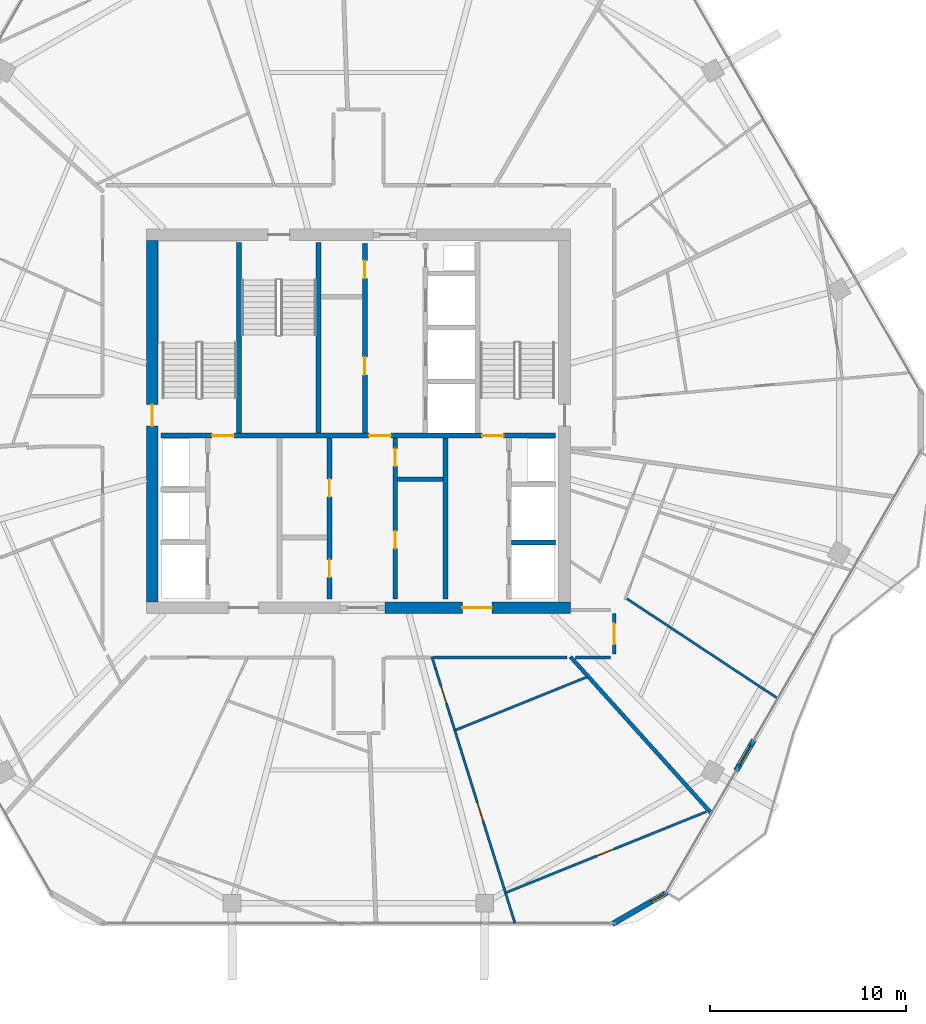
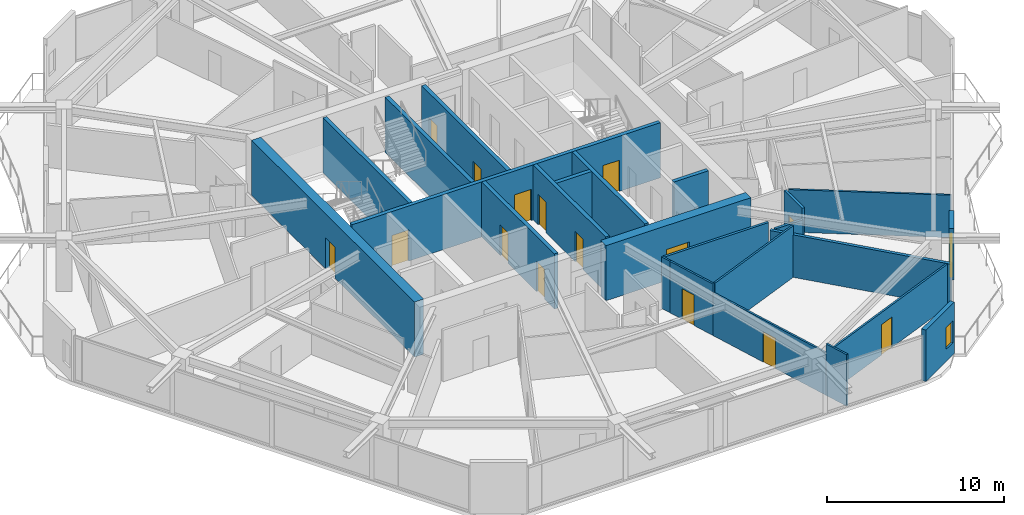
# One storey, part 19 of 25: 24 walls, 16 doors, 1 window, 17 openings.
"""IFC4 building model written with IfcOpenShell, lengths in metres."""

from ifc_helpers import new_model, si_unit, direction, frame, frame_2d, origin, place, context, subcontext, project, spatial, rectangle, extrude, material, layer, layer_set, type_object, element, fill, save


model = new_model("IFC4")

# Units and contexts
model_context = context("Model", 3, precision=1e-05, world=origin(), true_north=direction((0.0, 1.0)))
body_context = subcontext(model_context, "Body", "Model", "MODEL_VIEW")
ifc_project = project(units=[si_unit("LENGTHUNIT", "METRE"), si_unit("AREAUNIT", "SQUARE_METRE"), si_unit("VOLUMEUNIT", "CUBIC_METRE"), si_unit("PLANEANGLEUNIT", "RADIAN"), si_unit("MASSUNIT", "GRAM", prefix="KILO")], contexts=[model_context])

# Site, building, storey
site_placement = place(None, origin())
site = spatial("IfcSite", under=ifc_project, at=site_placement, CompositionType="ELEMENT")
building_placement = place(site_placement, origin())
building = spatial("IfcBuilding", under=site, at=building_placement, Name="Zuhravey Tower", CompositionType="ELEMENT")
storey_placement = place(building_placement, frame((0.0, 0.0, 235.0)))
storey = spatial("IfcBuildingStorey", under=building, at=storey_placement, Name="L59", CompositionType="ELEMENT", Elevation=235.0)

# Wall, opening, door
ifc_material_1 = material(Name="Concrete C50/60", Category="concrete")
ifc_layer_1 = layer(ifc_material_1, 0.60009765625)
ifc_layer_set_1 = layer_set([ifc_layer_1], Name="Concrete C50/60")
wall_type_1 = type_object("IfcWallType", Name="Core Shear Wall 600", PredefinedType="SHEAR", material=ifc_layer_set_1)
wall_1_placement = place(storey_placement, frame((37.35009765625, 22.5, 0.0), z_axis=(0.0, 0.0, 1.0), x_axis=(1.0, 0.0, 0.0)))
wall_1 = element("IfcWall", 1, at=wall_1_placement, inside=storey, type_object=wall_type_1, Name="L59 South-East Core Shear Wall CW60", PredefinedType="SHEAR", context=body_context, shape_type="SweptSolid", body=[
    extrude(rectangle(XDim=9.449951171875, YDim=0.60009765625, at=frame_2d((4.72509765625, 0.0))), origin(), (0.0, 0.0, 1.0), 3.800048828125),
])
opening_1_placement = place(wall_1_placement, frame((3.949951171875, 0.0, 0.0)))
opening_1 = element("IfcOpeningElement", 2, at=opening_1_placement, cuts=wall_1, Name="Opening FFD1", PredefinedType="OPENING", context=body_context, shape_type="SweptSolid", body=[
    extrude(rectangle(XDim=1.5, YDim=2.14990234375, at=frame_2d((0.75, 1.074951171875))), frame((0.0, 0.31201171875, 0.0), z_axis=(0.0, -1.0, 0.0), x_axis=(1.0, 0.0, 0.0)), (0.0, 0.0, 1.0), 0.6240234375),
])
ifc_material_2 = material(Name="Galvanised fire-rated steel leaf", Category="steel")
door_type_1 = type_object("IfcDoorType", Name="Firefighting Lobby Double Door 1500x2150", OperationType="DOUBLE_DOOR_SINGLE_SWING", PredefinedType="DOOR", material=ifc_material_2)
door_1_placement = place(opening_1_placement, origin())
door_1 = element("IfcDoor", 3, at=door_1_placement, inside=storey, type_object=door_type_1, Name="L59 Firefighting Lobby East Door", OperationType="DOUBLE_DOOR_SINGLE_SWING", OverallHeight=2.14990234375, OverallWidth=1.5, PredefinedType="DOOR", context=body_context, shape_type="SweptSolid", body=[
    extrude(rectangle(XDim=1.5, YDim=2.14990234375, at=frame_2d((0.75, 1.074951171875))), frame((0.0, 0.02490234375, 0.0), z_axis=(0.0, -1.0, 0.0), x_axis=(1.0, 0.0, 0.0)), (0.0, 0.0, 1.0), 0.050048828125),
])
fill(opening_1, door_1)

wall_2_placement = place(storey_placement, frame((25.5, 22.800048828125, 0.0), z_axis=(0.0, 0.0, 1.0), x_axis=(0.0, 1.0, 0.0)))
wall_2 = element("IfcWall", 4, at=wall_2_placement, inside=storey, type_object=wall_type_1, Name="L59 West Core Shear Wall CW60", PredefinedType="SHEAR", context=body_context, shape_type="SweptSolid", body=[
    extrude(rectangle(XDim=18.39990234375, YDim=0.60009765625, at=frame_2d((9.199951171875, 0.0))), origin(), (0.0, 0.0, 1.0), 3.800048828125),
])
opening_2_placement = place(wall_2_placement, frame((8.949951171875, 0.0, 0.0)))
opening_2 = element("IfcOpeningElement", 5, at=opening_2_placement, cuts=wall_2, Name="Opening STD1", PredefinedType="OPENING", context=body_context, shape_type="SweptSolid", body=[
    extrude(rectangle(XDim=1.10009765625, YDim=2.14990234375, at=frame_2d((0.550048828125, 1.074951171875))), frame((0.0, 0.31201171875, 0.0), z_axis=(0.0, -1.0, 0.0), x_axis=(1.0, 0.0, 0.0)), (0.0, 0.0, 1.0), 0.6240234375),
])
door_type_2 = type_object("IfcDoorType", Name="Protected Stair Fire Door 1100x2150", OperationType="NOTDEFINED", PredefinedType="USERDEFINED", material=ifc_material_2)
door_2_placement = place(opening_2_placement, frame((1.10009765625, 0.0, 0.0), z_axis=(0.0, 0.0, 1.0), x_axis=(-1.0, 0.0, 0.0)))
door_2 = element("IfcDoor", 6, at=door_2_placement, inside=storey, type_object=door_type_2, Name="L59 Stair ST1 Door", ObjectType="EXITDOOR", OperationType="SINGLE_SWING_RIGHT", OverallHeight=2.14990234375, OverallWidth=1.10009765625, PredefinedType="USERDEFINED", context=body_context, shape_type="SweptSolid", body=[
    extrude(rectangle(XDim=1.10009765625, YDim=2.14990234375, at=frame_2d((0.550048828125, 1.074951171875))), frame((0.0, 0.02490234375, 0.0), z_axis=(0.0, -1.0, 0.0), x_axis=(1.0, 0.0, 0.0)), (0.0, 0.0, 1.0), 0.050048828125),
])
fill(opening_2, door_2)

ifc_material_3 = material(Name="Gypsum fire-rated stud partition")
ifc_layer_2 = layer(ifc_material_3, 0.159912109375)
ifc_layer_set_2 = layer_set([ifc_layer_2], Name="Gypsum fire-rated stud partition")
wall_type_2 = type_object("IfcWallType", Name="Corridor Fire Partition 160", PredefinedType="PARTITIONING", material=ifc_layer_set_2)
wall_3_placement = place(storey_placement, frame((49.030029296875, 20.150634765625, 0.0), z_axis=(0.0, 0.0, 1.0), x_axis=(0.0, 1.0, 0.0)))
wall_3 = element("IfcWall", 7, at=wall_3_placement, inside=storey, type_object=wall_type_2, Name="L59 IW16 Partition 043", PredefinedType="PARTITIONING", context=body_context, shape_type="SweptSolid", body=[
    extrude(rectangle(XDim=2.048583984375, YDim=0.159912109375, at=frame_2d((1.0244140625, 0.0))), origin(), (0.0, 0.0, 1.0), 3.550048828125),
])
opening_3_placement = place(wall_3_placement, frame((0.499267578125, 0.0, 0.0)))
opening_3 = element("IfcOpeningElement", 8, at=opening_3_placement, cuts=wall_3, Name="Opening APD1", PredefinedType="OPENING", context=body_context, shape_type="SweptSolid", body=[
    extrude(rectangle(XDim=1.050048828125, YDim=2.14990234375, at=frame_2d((0.52490234375, 1.074951171875))), frame((0.0, 0.092041015625, 0.0), z_axis=(0.0, -1.0, 0.0), x_axis=(1.0, 0.0, 0.0)), (0.0, 0.0, 1.0), 0.183837890625),
])
ifc_material_4 = material(Name="Solid-core oak fire-rated leaf")
door_type_3 = type_object("IfcDoorType", Name="Apartment Entrance Fire Door 1050x2150", OperationType="NOTDEFINED", PredefinedType="DOOR", material=ifc_material_4)
door_3_placement = place(opening_3_placement, frame((1.050048828125, 0.0, 0.0), z_axis=(0.0, 0.0, 1.0), x_axis=(-1.0, 0.0, 0.0)))
door_3 = element("IfcDoor", 9, at=door_3_placement, inside=storey, type_object=door_type_3, Name="L59 Door 043.1", OperationType="SINGLE_SWING_LEFT", OverallHeight=2.14990234375, OverallWidth=1.050048828125, PredefinedType="DOOR", context=body_context, shape_type="SweptSolid", body=[
    extrude(rectangle(XDim=1.050048828125, YDim=2.14990234375, at=frame_2d((0.52490234375, 1.074951171875))), frame((0.0, 0.02490234375, 0.0), z_axis=(0.0, -1.0, 0.0), x_axis=(1.0, 0.0, 0.0)), (0.0, 0.0, 1.0), 0.050048828125),
])
fill(opening_3, door_3)

# Walls
wall_4_placement = place(storey_placement, frame((39.82275390625, 19.969970703125, 0.0), z_axis=(0.0, 0.0, 1.0), x_axis=(1.0, 0.0, 0.0)))
element("IfcWall", 10, at=wall_4_placement, inside=storey, type_object=wall_type_2, Name="L59 IW16 Partition 107", PredefinedType="PARTITIONING", context=body_context, shape_type="SweptSolid", body=[
    extrude(rectangle(XDim=6.793701171875, YDim=0.159912109375, at=frame_2d((3.39697265625, 0.0))), origin(), (0.0, 0.0, 1.0), 3.550048828125),
])
wall_5_placement = place(storey_placement, frame((47.050537109375, 19.969970703125, 0.0), z_axis=(0.0, 0.0, 1.0), x_axis=(1.0, 0.0, 0.0)))
element("IfcWall", 11, at=wall_5_placement, inside=storey, type_object=wall_type_2, Name="L59 IW16 Partition 109", PredefinedType="PARTITIONING", context=body_context, shape_type="SweptSolid", body=[
    extrude(rectangle(XDim=1.798828125, YDim=0.159912109375, at=frame_2d((0.8994140625, 0.0))), origin(), (0.0, 0.0, 1.0), 2.949951171875),
])

# Wall, opening, door
ifc_material_5 = material(Name="Precast concrete C40/50", Category="concrete")
ifc_layer_3 = layer(ifc_material_5, 0.280029296875)
ifc_layer_set_3 = layer_set([ifc_layer_3], Name="Precast concrete C40/50")
wall_type_3 = type_object("IfcWallType", Name="Crown Architectural Wall 280", PredefinedType="SOLIDWALL", material=ifc_layer_set_3)
wall_6_placement = place(storey_placement, frame((56.139892578125, 15.756103515625, 0.0), z_axis=(0.0, 0.0, 1.0), x_axis=(-0.499982180423, -0.866035691677, 0.0)))
wall_6 = element("IfcWall", 12, at=wall_6_placement, inside=storey, type_object=wall_type_3, Name="L59 Face 6 Facade Pier EW28-1", PredefinedType="SOLIDWALL", context=body_context, shape_type="SweptSolid", body=[
    extrude(rectangle(XDim=1.7900390625, YDim=0.280029296875, at=frame_2d((0.89501953125, 0.0))), origin(), (0.0, 0.0, 1.0), 3.550048828125),
])
opening_4_placement = place(wall_6_placement, frame((0.344970703125, 0.0, 0.0)))
opening_4 = element("IfcOpeningElement", 13, at=opening_4_placement, cuts=wall_6, Name="Opening BLD1", PredefinedType="OPENING", context=body_context, shape_type="SweptSolid", body=[
    extrude(rectangle(XDim=1.10009765625, YDim=2.199951171875, at=frame_2d((0.550048828125, 1.10009765625))), frame((0.0, 0.152099609375, 0.0), z_axis=(0.0, -1.0, 0.0), x_axis=(1.0, 0.0, 0.0)), (0.0, 0.0, 1.0), 0.303955078125),
])
ifc_material_6 = material(Name="Thermally broken aluminium and low-E glass", Category="aluminium")
door_type_4 = type_object("IfcDoorType", Name="Balcony & Sky-Tray Glazed Door 1100x2200", OperationType="NOTDEFINED", PredefinedType="DOOR", material=ifc_material_6)
door_4_placement = place(opening_4_placement, frame((1.10009765625, 0.0, 0.0), z_axis=(0.0, 0.0, 1.0), x_axis=(-1.0, 0.0, 0.0)))
door_4 = element("IfcDoor", 14, at=door_4_placement, inside=storey, type_object=door_type_4, Name="L59 Face 6 Wave Balcony Door", OperationType="SINGLE_SWING_LEFT", OverallHeight=2.199951171875, OverallWidth=1.10009765625, PredefinedType="DOOR", context=body_context, shape_type="SweptSolid", body=[
    extrude(rectangle(XDim=1.10009765625, YDim=2.199951171875, at=frame_2d((0.550048828125, 1.10009765625))), frame((0.0, 0.02490234375, 0.0), z_axis=(0.0, -1.0, 0.0), x_axis=(1.0, 0.0, 0.0)), (0.0, 0.0, 1.0), 0.050048828125),
])
fill(opening_4, door_4)

# Wall, opening, window
wall_7_placement = place(storey_placement, frame((51.714599609375, 7.996337890625, 0.0), z_axis=(0.0, 0.0, 1.0), x_axis=(-0.866028773314, -0.499994163758, 0.0)))
wall_7 = element("IfcWall", 15, at=wall_7_placement, inside=storey, type_object=wall_type_3, Name="L59 Rounded Corner Closure Wall EW28-02", PredefinedType="SOLIDWALL", context=body_context, shape_type="SweptSolid", body=[
    extrude(rectangle(XDim=3.21484375, YDim=0.280029296875, at=frame_2d((1.607421875, 0.0))), origin(), (0.0, 0.0, 1.0), 3.550048828125),
])
opening_5_placement = place(wall_7_placement, frame((0.17578125, 0.0, 0.85009765625)))
opening_5 = element("IfcOpeningElement", 16, at=opening_5_placement, cuts=wall_7, Name="Opening WN5", PredefinedType="OPENING", context=body_context, shape_type="SweptSolid", body=[
    extrude(rectangle(XDim=0.75, YDim=1.5, at=frame_2d((0.375, 0.75))), frame((0.0, 0.152099609375, 0.0), z_axis=(0.0, -1.0, 0.0), x_axis=(1.0, 0.0, 0.0)), (0.0, 0.0, 1.0), 0.303955078125),
])
ifc_material_7 = material(Name="Thermally broken aluminium and triple low-E glass", Category="aluminium")
window_type = type_object("IfcWindowType", Name="Residential Corner Casement Window 750x1500", PartitioningType="SINGLE_PANEL", PredefinedType="WINDOW", material=ifc_material_7)
window_placement = place(opening_5_placement, origin())
window = element("IfcWindow", 17, at=window_placement, inside=storey, type_object=window_type, Name="L59 Corner Casement Window WN5-02.1", OverallHeight=1.5, OverallWidth=0.75, PartitioningType="SINGLE_PANEL", PredefinedType="WINDOW", context=body_context, shape_type="SweptSolid", body=[
    extrude(rectangle(XDim=0.75, YDim=1.5, at=frame_2d((0.375, 0.75))), frame((0.0, 0.030029296875, 0.0), z_axis=(0.0, -1.0, 0.0), x_axis=(1.0, 0.0, 0.0)), (0.0, 0.0, 1.0), 0.06005859375),
])
fill(opening_5, window)

# Wall, openings, doors
ifc_layer_4 = layer(ifc_material_1, 0.25)
ifc_layer_set_4 = layer_set([ifc_layer_4], Name="Concrete C50/60")
wall_type_4 = type_object("IfcWallType", Name="Firefighting Shaft & Stair Wall 250", PredefinedType="SOLIDWALL", material=ifc_layer_set_4)
wall_8_placement = place(storey_placement, frame((25.949951171875, 31.27490234375, 0.0), z_axis=(0.0, 0.0, 1.0), x_axis=(1.0, 0.0, 0.0)))
wall_8 = element("IfcWall", 18, at=wall_8_placement, inside=storey, type_object=wall_type_4, Name="L59 FW25 Shaft Wall 003", PredefinedType="SOLIDWALL", context=body_context, shape_type="SweptSolid", body=[
    extrude(rectangle(XDim=20.10009765625, YDim=0.25, at=frame_2d((10.050048828125, 0.0))), origin(), (0.0, 0.0, 1.0), 3.800048828125),
])
opening_6_placement = place(wall_8_placement, frame((2.60009765625, 0.0, 0.0)))
opening_6 = element("IfcOpeningElement", 19, at=opening_6_placement, cuts=wall_8, Name="Opening STD1", PredefinedType="OPENING", context=body_context, shape_type="SweptSolid", body=[
    extrude(rectangle(XDim=1.10009765625, YDim=2.14990234375, at=frame_2d((0.550048828125, 1.074951171875))), frame((0.0, 0.136962890625, 0.0), z_axis=(0.0, -1.0, 0.0), x_axis=(1.0, 0.0, 0.0)), (0.0, 0.0, 1.0), 0.27392578125),
])
opening_7_placement = place(wall_8_placement, frame((10.60009765625, 0.0, 0.0)))
opening_7 = element("IfcOpeningElement", 20, at=opening_7_placement, cuts=wall_8, Name="Opening STD1", PredefinedType="OPENING", context=body_context, shape_type="SweptSolid", body=[
    extrude(rectangle(XDim=1.10009765625, YDim=2.14990234375, at=frame_2d((0.550048828125, 1.074951171875))), frame((0.0, 0.136962890625, 0.0), z_axis=(0.0, -1.0, 0.0), x_axis=(1.0, 0.0, 0.0)), (0.0, 0.0, 1.0), 0.27392578125),
])
opening_8_placement = place(wall_8_placement, frame((16.35009765625, 0.0, 0.0)))
opening_8 = element("IfcOpeningElement", 21, at=opening_8_placement, cuts=wall_8, Name="Opening STD1", PredefinedType="OPENING", context=body_context, shape_type="SweptSolid", body=[
    extrude(rectangle(XDim=1.10009765625, YDim=2.14990234375, at=frame_2d((0.550048828125, 1.074951171875))), frame((0.0, 0.136962890625, 0.0), z_axis=(0.0, -1.0, 0.0), x_axis=(1.0, 0.0, 0.0)), (0.0, 0.0, 1.0), 0.27392578125),
])
door_5_placement = place(opening_6_placement, origin())
door_5 = element("IfcDoor", 22, at=door_5_placement, inside=storey, type_object=door_type_2, Name="L59 FFL-W to ST1 Door", ObjectType="EXITDOOR", OperationType="SINGLE_SWING_LEFT", OverallHeight=2.14990234375, OverallWidth=1.10009765625, PredefinedType="USERDEFINED", context=body_context, shape_type="SweptSolid", body=[
    extrude(rectangle(XDim=1.10009765625, YDim=2.14990234375, at=frame_2d((0.550048828125, 1.074951171875))), frame((0.0, 0.02490234375, 0.0), z_axis=(0.0, -1.0, 0.0), x_axis=(1.0, 0.0, 0.0)), (0.0, 0.0, 1.0), 0.050048828125),
])
fill(opening_6, door_5)
door_6_placement = place(opening_7_placement, origin())
door_6 = element("IfcDoor", 23, at=door_6_placement, inside=storey, type_object=door_type_2, Name="L59 Core Lobby Link Door", ObjectType="EXITDOOR", OperationType="SINGLE_SWING_RIGHT", OverallHeight=2.14990234375, OverallWidth=1.10009765625, PredefinedType="USERDEFINED", context=body_context, shape_type="SweptSolid", body=[
    extrude(rectangle(XDim=1.10009765625, YDim=2.14990234375, at=frame_2d((0.550048828125, 1.074951171875))), frame((0.0, 0.02490234375, 0.0), z_axis=(0.0, -1.0, 0.0), x_axis=(1.0, 0.0, 0.0)), (0.0, 0.0, 1.0), 0.050048828125),
])
fill(opening_7, door_6)
door_7_placement = place(opening_8_placement, origin())
door_7 = element("IfcDoor", 24, at=door_7_placement, inside=storey, type_object=door_type_2, Name="L59 FFL-E to ST2 Door", ObjectType="EXITDOOR", OperationType="SINGLE_SWING_LEFT", OverallHeight=2.14990234375, OverallWidth=1.10009765625, PredefinedType="USERDEFINED", context=body_context, shape_type="SweptSolid", body=[
    extrude(rectangle(XDim=1.10009765625, YDim=2.14990234375, at=frame_2d((0.550048828125, 1.074951171875))), frame((0.0, 0.02490234375, 0.0), z_axis=(0.0, -1.0, 0.0), x_axis=(1.0, 0.0, 0.0)), (0.0, 0.0, 1.0), 0.050048828125),
])
fill(opening_8, door_7)

# Walls
for number, where, z_axis, x_axis, name in (
    (25, (29.925048828125, 31.39990234375, 0.0), (0.0, 0.0, 1.0), (0.0, 1.0, 0.0), "L59 FW25 Shaft Wall 004"),
    (26, (33.97509765625, 31.39990234375, 0.0), (0.0, 0.0, 1.0), (0.0, 1.0, 0.0), "L59 FW25 Shaft Wall 005"),
):
    element("IfcWall", number, at=place(storey_placement, frame(where, z_axis=z_axis, x_axis=x_axis)), inside=storey, type_object=wall_type_4, Name=name, PredefinedType="SOLIDWALL", context=body_context, shape_type="SweptSolid", body=[
        extrude(rectangle(XDim=9.7001953125, YDim=0.25, at=frame_2d((4.85009765625, 0.0))), origin(), (0.0, 0.0, 1.0), 3.800048828125),
    ])

# Wall, openings, doors
wall_9_placement = place(storey_placement, frame((36.324951171875, 31.39990234375, 0.0), z_axis=(0.0, 0.0, 1.0), x_axis=(0.0, 1.0, 0.0)))
wall_9 = element("IfcWall", 27, at=wall_9_placement, inside=storey, type_object=wall_type_4, Name="L59 FW25 Shaft Wall 007", PredefinedType="SOLIDWALL", context=body_context, shape_type="SweptSolid", body=[
    extrude(rectangle(XDim=9.650146484375, YDim=0.25, at=frame_2d((4.8251953125, 0.0))), origin(), (0.0, 0.0, 1.0), 3.800048828125),
])
opening_9_placement = place(wall_9_placement, frame((2.965087890625, 0.0, 0.0)))
opening_9 = element("IfcOpeningElement", 28, at=opening_9_placement, cuts=wall_9, Name="Opening RSD1", PredefinedType="OPENING", context=body_context, shape_type="SweptSolid", body=[
    extrude(rectangle(XDim=0.89990234375, YDim=2.10009765625, at=frame_2d((0.449951171875, 1.050048828125))), frame((0.0, 0.136962890625, 0.0), z_axis=(0.0, -1.0, 0.0), x_axis=(1.0, 0.0, 0.0)), (0.0, 0.0, 1.0), 0.27392578125),
])
opening_10_placement = place(wall_9_placement, frame((7.885009765625, 0.0, 0.0)))
opening_10 = element("IfcOpeningElement", 29, at=opening_10_placement, cuts=wall_9, Name="Opening RSD1", PredefinedType="OPENING", context=body_context, shape_type="SweptSolid", body=[
    extrude(rectangle(XDim=0.89990234375, YDim=2.10009765625, at=frame_2d((0.449951171875, 1.050048828125))), frame((0.0, 0.136962890625, 0.0), z_axis=(0.0, -1.0, 0.0), x_axis=(1.0, 0.0, 0.0)), (0.0, 0.0, 1.0), 0.27392578125),
])
ifc_material_8 = material(Name="Galvanised fire-rated steel access leaf", Category="steel")
door_type_5 = type_object("IfcDoorType", Name="Riser & Shaft Access Fire Door 900x2100", OperationType="NOTDEFINED", PredefinedType="DOOR", material=ifc_material_8)
door_8_placement = place(opening_9_placement, origin())
door_8 = element("IfcDoor", 30, at=door_8_placement, inside=storey, type_object=door_type_5, Name="L59 Equipment and Refuse Store Door", OperationType="SINGLE_SWING_RIGHT", OverallHeight=2.10009765625, OverallWidth=0.89990234375, PredefinedType="DOOR", context=body_context, shape_type="SweptSolid", body=[
    extrude(rectangle(XDim=0.89990234375, YDim=2.10009765625, at=frame_2d((0.449951171875, 1.050048828125))), frame((0.0, 0.02490234375, 0.0), z_axis=(0.0, -1.0, 0.0), x_axis=(1.0, 0.0, 0.0)), (0.0, 0.0, 1.0), 0.050048828125),
])
fill(opening_9, door_8)
door_9_placement = place(opening_10_placement, origin())
door_9 = element("IfcDoor", 31, at=door_9_placement, inside=storey, type_object=door_type_5, Name="L59 BMS Control Room Door", OperationType="SINGLE_SWING_LEFT", OverallHeight=2.10009765625, OverallWidth=0.89990234375, PredefinedType="DOOR", context=body_context, shape_type="SweptSolid", body=[
    extrude(rectangle(XDim=0.89990234375, YDim=2.10009765625, at=frame_2d((0.449951171875, 1.050048828125))), frame((0.0, 0.02490234375, 0.0), z_axis=(0.0, -1.0, 0.0), x_axis=(1.0, 0.0, 0.0)), (0.0, 0.0, 1.0), 0.050048828125),
])
fill(opening_10, door_9)

wall_10_placement = place(storey_placement, frame((34.52490234375, 22.949951171875, 0.0), z_axis=(0.0, 0.0, 1.0), x_axis=(0.0, 1.0, 0.0)))
wall_10 = element("IfcWall", 32, at=wall_10_placement, inside=storey, type_object=wall_type_4, Name="L59 FW25 Shaft Wall 014", PredefinedType="SOLIDWALL", context=body_context, shape_type="SweptSolid", body=[
    extrude(rectangle(XDim=8.199951171875, YDim=0.25, at=frame_2d((4.10009765625, 0.0))), origin(), (0.0, 0.0, 1.0), 3.800048828125),
])
opening_11_placement = place(wall_10_placement, frame((1.10009765625, 0.0, 0.0)))
opening_11 = element("IfcOpeningElement", 33, at=opening_11_placement, cuts=wall_10, Name="Opening RSD1", PredefinedType="OPENING", context=body_context, shape_type="SweptSolid", body=[
    extrude(rectangle(XDim=0.89990234375, YDim=2.10009765625, at=frame_2d((0.449951171875, 1.050048828125))), frame((0.0, 0.136962890625, 0.0), z_axis=(0.0, -1.0, 0.0), x_axis=(1.0, 0.0, 0.0)), (0.0, 0.0, 1.0), 0.27392578125),
])
opening_12_placement = place(wall_10_placement, frame((5.199951171875, 0.0, 0.0)))
opening_12 = element("IfcOpeningElement", 34, at=opening_12_placement, cuts=wall_10, Name="Opening RSD1", PredefinedType="OPENING", context=body_context, shape_type="SweptSolid", body=[
    extrude(rectangle(XDim=0.89990234375, YDim=2.10009765625, at=frame_2d((0.449951171875, 1.050048828125))), frame((0.0, 0.136962890625, 0.0), z_axis=(0.0, -1.0, 0.0), x_axis=(1.0, 0.0, 0.0)), (0.0, 0.0, 1.0), 0.27392578125),
])
door_10_placement = place(opening_11_placement, origin())
door_10 = element("IfcDoor", 35, at=door_10_placement, inside=storey, type_object=door_type_5, Name="L59 Metering Room Door", OperationType="SINGLE_SWING_LEFT", OverallHeight=2.10009765625, OverallWidth=0.89990234375, PredefinedType="DOOR", context=body_context, shape_type="SweptSolid", body=[
    extrude(rectangle(XDim=0.89990234375, YDim=2.10009765625, at=frame_2d((0.449951171875, 1.050048828125))), frame((0.0, 0.02490234375, 0.0), z_axis=(0.0, -1.0, 0.0), x_axis=(1.0, 0.0, 0.0)), (0.0, 0.0, 1.0), 0.050048828125),
])
fill(opening_11, door_10)
door_11_placement = place(opening_12_placement, origin())
door_11 = element("IfcDoor", 36, at=door_11_placement, inside=storey, type_object=door_type_5, Name="L59 Housekeeping Supply Door", OperationType="SINGLE_SWING_RIGHT", OverallHeight=2.10009765625, OverallWidth=0.89990234375, PredefinedType="DOOR", context=body_context, shape_type="SweptSolid", body=[
    extrude(rectangle(XDim=0.89990234375, YDim=2.10009765625, at=frame_2d((0.449951171875, 1.050048828125))), frame((0.0, 0.02490234375, 0.0), z_axis=(0.0, -1.0, 0.0), x_axis=(1.0, 0.0, 0.0)), (0.0, 0.0, 1.0), 0.050048828125),
])
fill(opening_12, door_11)

# Wall
wall_11_placement = place(storey_placement, frame((38.0, 29.050048828125, 0.0), z_axis=(0.0, 0.0, 1.0), x_axis=(1.0, 0.0, 0.0)))
element("IfcWall", 37, at=wall_11_placement, inside=storey, type_object=wall_type_4, Name="L59 FW25 Shaft Wall 015", PredefinedType="SOLIDWALL", context=body_context, shape_type="SweptSolid", body=[
    extrude(rectangle(XDim=2.300048828125, YDim=0.25, at=frame_2d((1.14990234375, 0.0))), origin(), (0.0, 0.0, 1.0), 3.800048828125),
])

# Wall, openings, doors
wall_12_placement = place(storey_placement, frame((37.875, 22.949951171875, 0.0), z_axis=(0.0, 0.0, 1.0), x_axis=(0.0, 1.0, 0.0)))
wall_12 = element("IfcWall", 38, at=wall_12_placement, inside=storey, type_object=wall_type_4, Name="L59 FW25 Shaft Wall 016", PredefinedType="SOLIDWALL", context=body_context, shape_type="SweptSolid", body=[
    extrude(rectangle(XDim=8.199951171875, YDim=0.25, at=frame_2d((4.10009765625, 0.0))), origin(), (0.0, 0.0, 1.0), 3.800048828125),
])
opening_13_placement = place(wall_12_placement, frame((2.5625, 0.0, 0.0)))
opening_13 = element("IfcOpeningElement", 39, at=opening_13_placement, cuts=wall_12, Name="Opening RSD1", PredefinedType="OPENING", context=body_context, shape_type="SweptSolid", body=[
    extrude(rectangle(XDim=0.89990234375, YDim=2.10009765625, at=frame_2d((0.449951171875, 1.050048828125))), frame((0.0, 0.136962890625, 0.0), z_axis=(0.0, -1.0, 0.0), x_axis=(1.0, 0.0, 0.0)), (0.0, 0.0, 1.0), 0.27392578125),
])
opening_14_placement = place(wall_12_placement, frame((6.762451171875, 0.0, 0.0)))
opening_14 = element("IfcOpeningElement", 40, at=opening_14_placement, cuts=wall_12, Name="Opening RSD1", PredefinedType="OPENING", context=body_context, shape_type="SweptSolid", body=[
    extrude(rectangle(XDim=0.89990234375, YDim=2.10009765625, at=frame_2d((0.449951171875, 1.050048828125))), frame((0.0, 0.136962890625, 0.0), z_axis=(0.0, -1.0, 0.0), x_axis=(1.0, 0.0, 0.0)), (0.0, 0.0, 1.0), 0.27392578125),
])
door_12_placement = place(opening_13_placement, frame((0.89990234375, 0.0, 0.0), z_axis=(0.0, 0.0, 1.0), x_axis=(-1.0, 0.0, 0.0)))
door_12 = element("IfcDoor", 41, at=door_12_placement, inside=storey, type_object=door_type_5, Name="L59 Trunk Store Door", OperationType="SINGLE_SWING_LEFT", OverallHeight=2.10009765625, OverallWidth=0.89990234375, PredefinedType="DOOR", context=body_context, shape_type="SweptSolid", body=[
    extrude(rectangle(XDim=0.89990234375, YDim=2.10009765625, at=frame_2d((0.449951171875, 1.050048828125))), frame((0.0, 0.02490234375, 0.0), z_axis=(0.0, -1.0, 0.0), x_axis=(1.0, 0.0, 0.0)), (0.0, 0.0, 1.0), 0.050048828125),
])
fill(opening_13, door_12)
door_13_placement = place(opening_14_placement, frame((0.89990234375, 0.0, 0.0), z_axis=(0.0, 0.0, 1.0), x_axis=(-1.0, 0.0, 0.0)))
door_13 = element("IfcDoor", 42, at=door_13_placement, inside=storey, type_object=door_type_5, Name="L59 Fiber Room Door", OperationType="SINGLE_SWING_RIGHT", OverallHeight=2.10009765625, OverallWidth=0.89990234375, PredefinedType="DOOR", context=body_context, shape_type="SweptSolid", body=[
    extrude(rectangle(XDim=0.89990234375, YDim=2.10009765625, at=frame_2d((0.449951171875, 1.050048828125))), frame((0.0, 0.02490234375, 0.0), z_axis=(0.0, -1.0, 0.0), x_axis=(1.0, 0.0, 0.0)), (0.0, 0.0, 1.0), 0.050048828125),
])
fill(opening_14, door_13)

# Walls
wall_13_placement = place(storey_placement, frame((40.425048828125, 22.949951171875, 0.0), z_axis=(0.0, 0.0, 1.0), x_axis=(0.0, 1.0, 0.0)))
element("IfcWall", 43, at=wall_13_placement, inside=storey, type_object=wall_type_4, Name="L59 FW25 Shaft Wall 017", PredefinedType="SOLIDWALL", context=body_context, shape_type="SweptSolid", body=[
    extrude(rectangle(XDim=8.199951171875, YDim=0.25, at=frame_2d((4.10009765625, 0.0))), origin(), (0.0, 0.0, 1.0), 3.800048828125),
])
wall_14_placement = place(storey_placement, frame((43.800048828125, 25.824951171875, 0.0), z_axis=(0.0, 0.0, 1.0), x_axis=(1.0, 0.0, 0.0)))
element("IfcWall", 44, at=wall_14_placement, inside=storey, type_object=wall_type_4, Name="L59 FW25 Shaft Wall 018", PredefinedType="SOLIDWALL", context=body_context, shape_type="SweptSolid", body=[
    extrude(rectangle(XDim=2.25, YDim=0.25, at=frame_2d((1.125, 0.0))), origin(), (0.0, 0.0, 1.0), 3.800048828125),
])
ifc_material_9 = material(Name="Gypsum double-stud party assembly")
ifc_layer_5 = layer(ifc_material_9, 0.199951171875)
ifc_layer_set_5 = layer_set([ifc_layer_5], Name="Gypsum double-stud party assembly")
wall_type_5 = type_object("IfcWallType", Name="Inter-Tenancy Party Wall 200", PredefinedType="PARTITIONING", material=ifc_layer_set_5)
wall_15_placement = place(storey_placement, frame((46.7958984375, 20.010009765625, 0.0), z_axis=(0.0, 0.0, 1.0), x_axis=(0.669124143022, -0.743150645041, 0.0)))
element("IfcWall", 45, at=wall_15_placement, inside=storey, type_object=wall_type_5, Name="L59 IW20 Partition 079", PredefinedType="PARTITIONING", context=body_context, shape_type="SweptSolid", body=[
    extrude(rectangle(XDim=10.744873046875, YDim=0.199951171875, at=frame_2d((5.37255859375, 0.0))), origin(), (0.0, 0.0, 1.0), 2.929931640625),
])

# Wall, opening, door
ifc_material_10 = material(Name="Gypsum metal-stud partition")
ifc_layer_6 = layer(ifc_material_10, 0.1201171875)
ifc_layer_set_6 = layer_set([ifc_layer_6], Name="Gypsum metal-stud partition")
wall_type_6 = type_object("IfcWallType", Name="Unit Internal Partition 120", PredefinedType="PARTITIONING", material=ifc_layer_set_6)
wall_16_placement = place(storey_placement, frame((39.92919921875, 19.39990234375, 0.0), z_axis=(0.0, 0.0, 1.0), x_axis=(0.297738747335, -0.954647389529, 0.0)))
wall_16 = element("IfcWall", 46, at=wall_16_placement, inside=storey, type_object=wall_type_6, Name="L59 IW12 Partition 037", PredefinedType="PARTITIONING", context=body_context, shape_type="SweptSolid", body=[
    extrude(rectangle(XDim=3.318359375, YDim=0.1201171875, at=frame_2d((1.6591796875, 0.0))), origin(), (0.0, 0.0, 1.0), 3.550048828125),
])
opening_15_placement = place(wall_16_placement, frame((0.94384765625, 0.0, 0.0)))
opening_15 = element("IfcOpeningElement", 47, at=opening_15_placement, cuts=wall_16, Name="Opening WCD1", PredefinedType="OPENING", context=body_context, shape_type="SweptSolid", body=[
    extrude(rectangle(XDim=0.89990234375, YDim=2.10009765625, at=frame_2d((0.449951171875, 1.050048828125))), frame((0.0, 0.072021484375, 0.0), z_axis=(0.0, -1.0, 0.0), x_axis=(1.0, 0.0, 0.0)), (0.0, 0.0, 1.0), 0.14404296875),
])
ifc_material_11 = material(Name="Moisture-resistant timber leaf", Category="wood")
door_type_6 = type_object("IfcDoorType", Name="Bathroom & WC Internal Door 900x2100", OperationType="NOTDEFINED", PredefinedType="DOOR", material=ifc_material_11)
door_14_placement = place(opening_15_placement, origin())
door_14 = element("IfcDoor", 48, at=door_14_placement, inside=storey, type_object=door_type_6, Name="Apartment L59-05 Bathroom Door", OperationType="SINGLE_SWING_RIGHT", OverallHeight=2.10009765625, OverallWidth=0.89990234375, PredefinedType="DOOR", context=body_context, shape_type="SweptSolid", body=[
    extrude(rectangle(XDim=0.89990234375, YDim=2.10009765625, at=frame_2d((0.449951171875, 1.050048828125))), frame((0.0, 0.02490234375, 0.0), z_axis=(0.0, -1.0, 0.0), x_axis=(1.0, 0.0, 0.0)), (0.0, 0.0, 1.0), 0.050048828125),
])
fill(opening_15, door_14)

wall_17_placement = place(storey_placement, frame((40.917236328125, 16.23193359375, 0.0), z_axis=(0.0, 0.0, 1.0), x_axis=(0.297710586005, -0.954656172127, 0.0)))
wall_17 = element("IfcWall", 49, at=wall_17_placement, inside=storey, type_object=wall_type_6, Name="L59 IW12 Partition 038", PredefinedType="PARTITIONING", context=body_context, shape_type="SweptSolid", body=[
    extrude(rectangle(XDim=8.67041015625, YDim=0.1201171875, at=frame_2d((4.335205078125, 0.0))), origin(), (0.0, 0.0, 1.0), 2.929931640625),
])
opening_16_placement = place(wall_17_placement, frame((3.835205078125, 0.0, 0.0)))
opening_16 = element("IfcOpeningElement", 50, at=opening_16_placement, cuts=wall_17, Name="Opening IND1", PredefinedType="OPENING", context=body_context, shape_type="SweptSolid", body=[
    extrude(rectangle(XDim=0.949951171875, YDim=2.10009765625, at=frame_2d((0.47509765625, 1.050048828125))), frame((0.0, 0.072021484375, 0.0), z_axis=(0.0, -1.0, 0.0), x_axis=(1.0, 0.0, 0.0)), (0.0, 0.0, 1.0), 0.14404296875),
])
ifc_material_12 = material(Name="Painted engineered timber leaf", Category="wood")
door_type_7 = type_object("IfcDoorType", Name="Internal Room & Bedroom Door 950x2100", OperationType="NOTDEFINED", PredefinedType="DOOR", material=ifc_material_12)
door_15_placement = place(opening_16_placement, origin())
door_15 = element("IfcDoor", 51, at=door_15_placement, inside=storey, type_object=door_type_7, Name="Apartment L59-05 Home Office Door", OperationType="SINGLE_SWING_LEFT", OverallHeight=2.10009765625, OverallWidth=0.949951171875, PredefinedType="DOOR", context=body_context, shape_type="SweptSolid", body=[
    extrude(rectangle(XDim=0.949951171875, YDim=2.10009765625, at=frame_2d((0.47509765625, 1.050048828125))), frame((0.0, 0.02490234375, 0.0), z_axis=(0.0, -1.0, 0.0), x_axis=(1.0, 0.0, 0.0)), (0.0, 0.0, 1.0), 0.050048828125),
])
fill(opening_16, door_15)

wall_18_placement = place(storey_placement, frame((43.55419921875, 8.00390625, 0.0), z_axis=(0.0, 0.0, 1.0), x_axis=(0.927183582348, 0.374607267179, 0.0)))
wall_18 = element("IfcWall", 52, at=wall_18_placement, inside=storey, type_object=wall_type_6, Name="L59 IW12 Partition 039", PredefinedType="PARTITIONING", context=body_context, shape_type="SweptSolid", body=[
    extrude(rectangle(XDim=10.9716796875, YDim=0.1201171875, at=frame_2d((5.48583984375, 0.0))), origin(), (0.0, 0.0, 1.0), 2.929931640625),
])
opening_17_placement = place(wall_18_placement, frame((4.926513671875, 0.0, 0.0)))
opening_17 = element("IfcOpeningElement", 53, at=opening_17_placement, cuts=wall_18, Name="Opening IND1", PredefinedType="OPENING", context=body_context, shape_type="SweptSolid", body=[
    extrude(rectangle(XDim=0.949951171875, YDim=2.10009765625, at=frame_2d((0.47509765625, 1.050048828125))), frame((0.0, 0.072021484375, 0.0), z_axis=(0.0, -1.0, 0.0), x_axis=(1.0, 0.0, 0.0)), (0.0, 0.0, 1.0), 0.14404296875),
])
door_16_placement = place(opening_17_placement, frame((0.949951171875, 0.0, 0.0), z_axis=(0.0, 0.0, 1.0), x_axis=(-1.0, 0.0, 0.0)))
door_16 = element("IfcDoor", 54, at=door_16_placement, inside=storey, type_object=door_type_7, Name="Apartment L59-05 Bedroom 1 Door", OperationType="SINGLE_SWING_RIGHT", OverallHeight=2.10009765625, OverallWidth=0.949951171875, PredefinedType="DOOR", context=body_context, shape_type="SweptSolid", body=[
    extrude(rectangle(XDim=0.949951171875, YDim=2.10009765625, at=frame_2d((0.47509765625, 1.050048828125))), frame((0.0, 0.02490234375, 0.0), z_axis=(0.0, -1.0, 0.0), x_axis=(1.0, 0.0, 0.0)), (0.0, 0.0, 1.0), 0.050048828125),
])
fill(opening_17, door_16)

# Walls
wall_19_placement = place(storey_placement, frame((39.73779296875, 20.013916015625, 0.0), z_axis=(0.0, 0.0, 1.0), x_axis=(0.297604881779, -0.954689129686, 0.0)))
element("IfcWall", 55, at=wall_19_placement, inside=storey, type_object=wall_type_6, Name="L59 IW12 Partition 076", PredefinedType="PARTITIONING", context=body_context, shape_type="SweptSolid", body=[
    extrude(rectangle(XDim=0.64306640625, YDim=0.1201171875, at=frame_2d((0.321533203125, 0.0))), origin(), (0.0, 0.0, 1.0), 3.550048828125),
])
wall_20_placement = place(storey_placement, frame((43.49853515625, 7.95458984375, 0.0), z_axis=(0.0, 0.0, 1.0), x_axis=(0.297621462393, -0.95468396086, 0.0)))
element("IfcWall", 56, at=wall_20_placement, inside=storey, type_object=wall_type_6, Name="L59 IW12 Partition 077", PredefinedType="PARTITIONING", context=body_context, shape_type="SweptSolid", body=[
    extrude(rectangle(XDim=1.595458984375, YDim=0.1201171875, at=frame_2d((0.7978515625, 0.0))), origin(), (0.0, 0.0, 1.0), 3.550048828125),
])
wall_21_placement = place(storey_placement, frame((40.972900390625, 16.28125, 0.0), z_axis=(0.0, 0.0, 1.0), x_axis=(0.927185708854, 0.374602003862, 0.0)))
element("IfcWall", 57, at=wall_21_placement, inside=storey, type_object=wall_type_6, Name="L59 IW12 Partition 078", PredefinedType="PARTITIONING", context=body_context, shape_type="SweptSolid", body=[
    extrude(rectangle(XDim=7.204345703125, YDim=0.1201171875, at=frame_2d((3.60205078125, 0.0))), origin(), (0.0, 0.0, 1.0), 3.550048828125),
])
wall_22_placement = place(storey_placement, frame((49.67138671875, 22.96484375, 0.0), z_axis=(0.0, 0.0, 1.0), x_axis=(0.834276896683, -0.551345680731, 0.0)))
element("IfcWall", 58, at=wall_22_placement, inside=storey, type_object=wall_type_6, Name="L59 IW12 Partition 084", PredefinedType="PARTITIONING", context=body_context, shape_type="SweptSolid", body=[
    extrude(rectangle(XDim=9.23291015625, YDim=0.1201171875, at=frame_2d((4.616455078125, 0.0))), origin(), (0.0, 0.0, 1.0), 2.929931640625),
])

save(model, "model.ifc")
